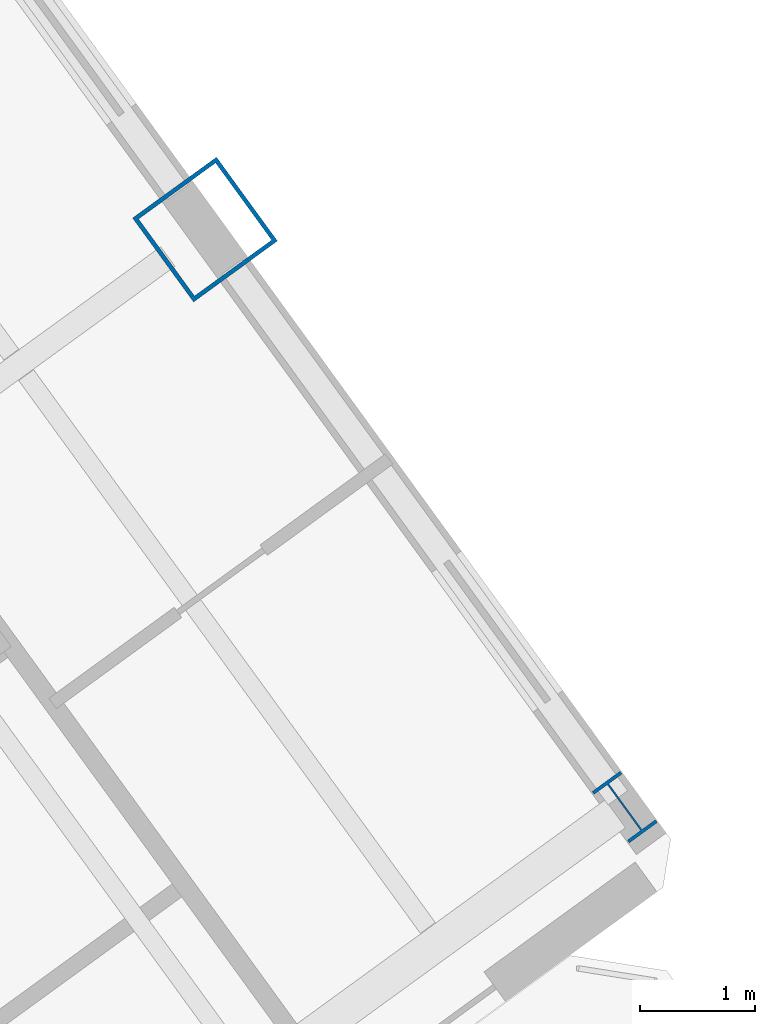
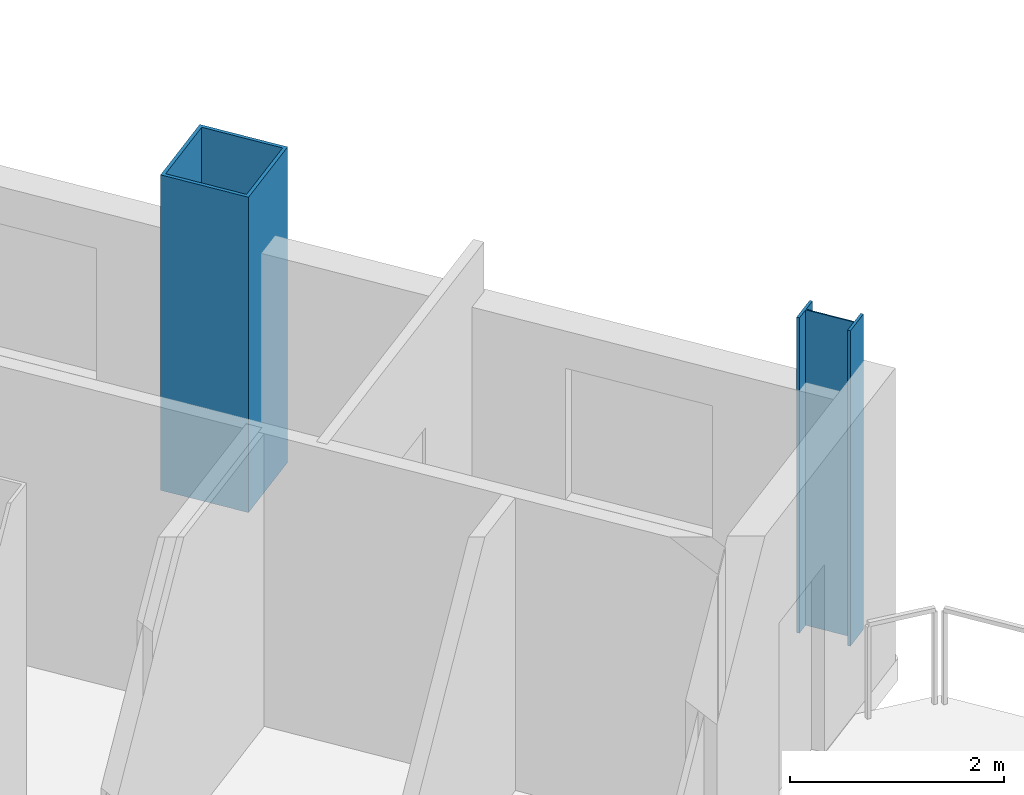
# One storey, part 4 of 18: 2 columns.
"""IFC4 building model written with IfcOpenShell, lengths in metres."""

from ifc_helpers import new_model, si_unit, direction, frame, origin, origin_2d, place, context, subcontext, project, spatial, hollow_rectangle, i_section, extrude, source, transform, mapped, material, material_profile, profile_set, type_object, element, save


model = new_model("IFC4")

# Units and contexts
model_context = context("Model", 3, precision=1e-05, world=origin(), true_north=direction((0.0, 1.0)))
body_context = subcontext(model_context, "Body", "Model", "MODEL_VIEW")
ifc_project = project(units=[si_unit("LENGTHUNIT", "METRE"), si_unit("AREAUNIT", "SQUARE_METRE"), si_unit("VOLUMEUNIT", "CUBIC_METRE"), si_unit("PLANEANGLEUNIT", "RADIAN"), si_unit("MASSUNIT", "GRAM", prefix="KILO")], contexts=[model_context])

# Site, building, storey
site_placement = place(None, origin())
site = spatial("IfcSite", under=ifc_project, at=site_placement, CompositionType="ELEMENT")
building_placement = place(site_placement, origin())
building = spatial("IfcBuilding", under=site, at=building_placement, Name="Tlacorven Tower", CompositionType="ELEMENT")
storey_placement = place(building_placement, frame((0.0, 0.0, 140.699951171875)))
storey = spatial("IfcBuildingStorey", under=building, at=storey_placement, Name="L35", CompositionType="ELEMENT", Elevation=140.699951171875)

# Columns
ifc_material = material(Name="Steel S460M", Category="steel")
ifc_material_profile_1 = material_profile(ifc_material, hollow_rectangle(XDim=0.89990234375, YDim=0.89990234375, WallThickness=0.035888671875, at=origin_2d()), Name="BOX 900X900X36")
ifc_profile_set_1 = profile_set([ifc_material_profile_1], Name="Steel S460M")
column_type_1 = type_object("IfcColumnType", Name="COL-TWR-S2", PredefinedType="COLUMN", material=ifc_profile_set_1)
shared_shape_1 = source(origin(), body_context, "Body", "SweptSolid", [
    extrude(hollow_rectangle(XDim=0.89990234375, YDim=0.89990234375, WallThickness=0.035888671875, at=origin_2d()), origin(), (0.0, 0.0, 1.0), 3.60009765625),
])
column_1_placement = place(storey_placement, frame((67.267822265625, 23.353515625, 0.0), z_axis=(0.0, 0.0, 1.0), x_axis=(0.809016994375, 0.587785252292, 0.0)))
element("IfcColumn", 1, at=column_1_placement, inside=storey, type_object=column_type_1, Name="L35 column COL-L35-E4-2", PredefinedType="COLUMN", context=body_context, shape_type="MappedRepresentation", body=[
    mapped(shared_shape_1, transform((0.0, 0.0, 0.0), scale=1.0)),
])
ifc_material_profile_2 = material_profile(ifc_material, i_section(OverallWidth=0.300048828125, OverallDepth=0.550048828125, WebThickness=0.014892578125, FlangeThickness=0.029052734375, at=origin_2d()), Name="HEB 550")
ifc_profile_set_2 = profile_set([ifc_material_profile_2], Name="Steel S460M")
column_type_2 = type_object("IfcColumnType", Name="COL-TWR-P2", PredefinedType="COLUMN", material=ifc_profile_set_2)
shared_shape_2 = source(origin(), body_context, "Body", "SweptSolid", [
    extrude(i_section(OverallWidth=0.300048828125, OverallDepth=0.550048828125, WebThickness=0.014892578125, FlangeThickness=0.029052734375, at=origin_2d()), origin(), (0.0, 0.0, 1.0), 3.60009765625),
])
column_2_placement = place(storey_placement, frame((70.911865234375, 18.337646484375, 0.0), z_axis=(0.0, 0.0, 1.0), x_axis=(0.809016994375, 0.587785252292, 0.0)))
element("IfcColumn", 2, at=column_2_placement, inside=storey, type_object=column_type_2, Name="L35 column COL-L35-E4-1", PredefinedType="COLUMN", context=body_context, shape_type="MappedRepresentation", body=[
    mapped(shared_shape_2, transform((0.0, 0.0, 0.0), scale=1.0)),
])

save(model, "model.ifc")
